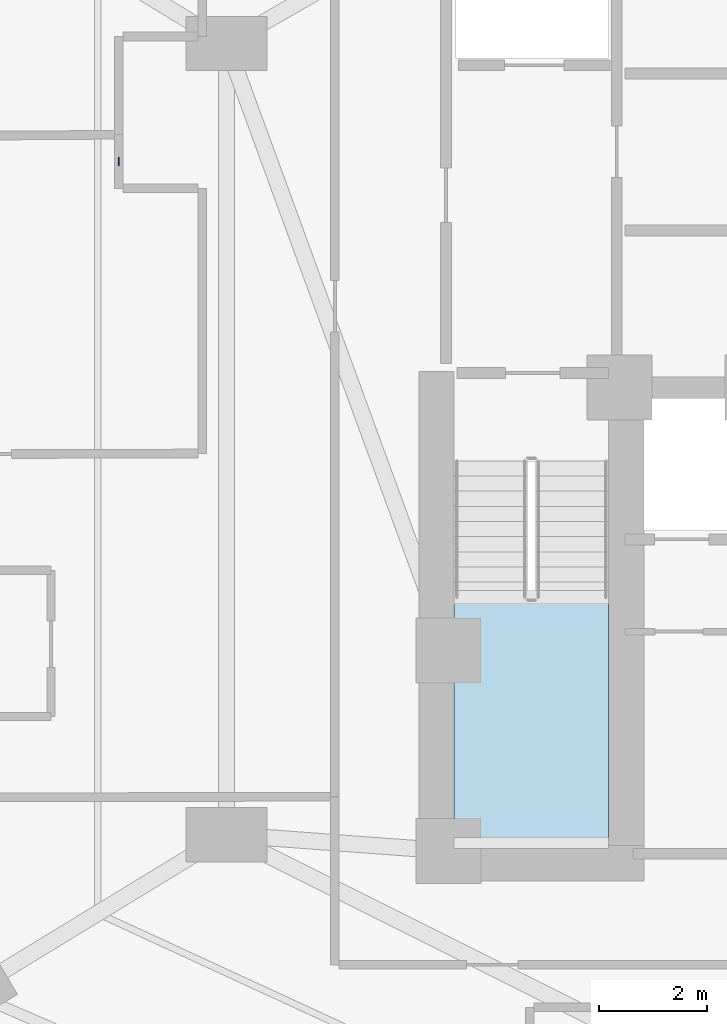
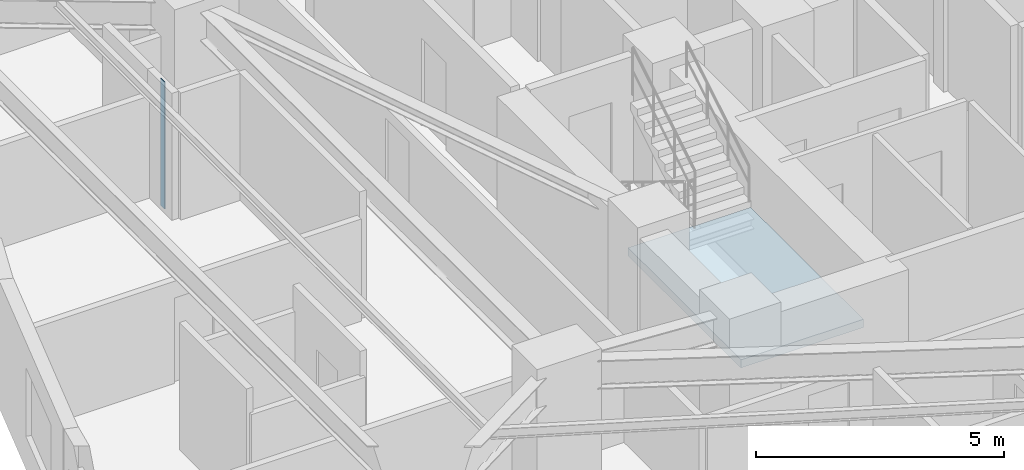
# One storey, part 3 of 13: 1 plate, 1 slab, 1 element without a shape of its own.
"""IFC4 building model written with IfcOpenShell, lengths in metres."""

import ifcopenshell
import ifcopenshell.guid

model = None  # the IFC model being written
_history = None  # IfcOwnerHistory: only IFC2X3 demands one
_inside = {}  # id of a spatial element -> (the spatial element, [elements in it])
_under = {}  # id of a project, library or spatial element -> (it, [spatial elements below it])
_declared = {}  # id of a project -> (the project, [libraries it declares])
_typed = {}  # id of a type object -> (the type object, [elements of that type])
_made_of = {}  # id of a material, layer set ... -> (it, [elements and type objects made of it])


def new_model(schema):
    """Start an empty IFC model of exactly this schema.

    Asked for "IFC4X3", IfcOpenShell would pick the latest addendum, in which some entities
    have other attributes; the version numbers below select the first issue.
    IFC2X3 requires an IfcOwnerHistory on every rooted entity: one is made here for all.
    """
    global model, _history
    if schema == "IFC4X3":
        model = ifcopenshell.file(schema_version=(4, 3, 0, 0))
    else:
        model = ifcopenshell.file(schema=schema)
    _inside.clear()
    _under.clear()
    _declared.clear()
    _typed.clear()
    _made_of.clear()
    _history = None
    if model.schema == "IFC2X3":
        org = make("IfcOrganization", Name="unknown")
        user = make(
            "IfcPersonAndOrganization",
            ThePerson=make("IfcPerson", FamilyName="unknown"),
            TheOrganization=org,
        )
        app = make(
            "IfcApplication",
            ApplicationDeveloper=org,
            Version="unknown",
            ApplicationFullName="unknown",
            ApplicationIdentifier="unknown",
        )
        _history = make(
            "IfcOwnerHistory",
            OwningUser=user,
            OwningApplication=app,
            ChangeAction="ADDED",
            CreationDate=0,
        )
    return model


def make(cls, **values):
    """One entity of the class cls with the attributes given. An attribute that is None is left unset."""
    return model.create_entity(
        cls, **{name: value for name, value in values.items() if value is not None}
    )


def rooted(cls, **values):
    """An entity with a GlobalId (a new one), such as an element, a storey or a relation."""
    return make(cls, GlobalId=ifcopenshell.guid.new(), OwnerHistory=_history, **values)


def si_unit(unit_type, name, prefix=None):
    """IfcSIUnit, for example si_unit("LENGTHUNIT", "METRE", prefix="MILLI")."""
    return make("IfcSIUnit", UnitType=unit_type, Prefix=prefix, Name=name)


def assignment(units):
    """IfcUnitAssignment: the units of a project."""
    return None if units is None else make("IfcUnitAssignment", Units=units)


def point(xyz):
    """IfcCartesianPoint."""
    return None if xyz is None else make("IfcCartesianPoint", Coordinates=xyz)


def direction(xyz):
    """IfcDirection."""
    return None if xyz is None else make("IfcDirection", DirectionRatios=xyz)


def frame(location, z_axis=None, x_axis=None):
    """IfcAxis2Placement3D, a coordinate frame: its origin and axes. An axis left out is left unset."""
    return make(
        "IfcAxis2Placement3D",
        Location=point(location),
        Axis=direction(z_axis),
        RefDirection=direction(x_axis),
    )


def frame_2d(location, x_axis=None):
    """IfcAxis2Placement2D, a coordinate frame in the plane: its origin and x axis."""
    return make(
        "IfcAxis2Placement2D", Location=point(location), RefDirection=direction(x_axis)
    )


def origin():
    """The frame at (0, 0, 0) with its axes left unset."""
    return frame((0.0, 0.0, 0.0))


def origin_2d():
    """The frame at (0, 0) in the plane with its x axis left unset."""
    return frame_2d((0.0, 0.0))


def place(relative_to, where):
    """IfcLocalPlacement: puts the frame where relative to a parent placement (None: the world)."""
    return make(
        "IfcLocalPlacement", PlacementRelTo=relative_to, RelativePlacement=where
    )


def context(
    kind, dimensions, precision=None, world=None, true_north=None, identifier=None
):
    """IfcGeometricRepresentationContext, for example the 3D "Model" context."""
    return make(
        "IfcGeometricRepresentationContext",
        ContextIdentifier=identifier,
        ContextType=kind,
        CoordinateSpaceDimension=dimensions,
        Precision=precision,
        WorldCoordinateSystem=world,
        TrueNorth=true_north,
    )


def subcontext(parent, identifier, kind, view, scale=None):
    """IfcGeometricRepresentationSubContext, for example "Body" below "Model"."""
    return make(
        "IfcGeometricRepresentationSubContext",
        ContextIdentifier=identifier,
        ContextType=kind,
        ParentContext=parent,
        TargetScale=scale,
        TargetView=view,
    )


def project(units=None, contexts=None):
    """IfcProject with its units and contexts."""
    return rooted(
        "IfcProject",
        Name="project",
        RepresentationContexts=contexts,
        UnitsInContext=assignment(units),
    )


def spatial(cls, under=None, at=None, **own):
    """A site, building, storey or space (cls), placed at a placement, below another one or the project."""
    s = rooted(cls, ObjectPlacement=at, **own)
    if under is not None:
        _under.setdefault(under.id(), (under, []))[1].append(s)
    return s


def polyline(points):
    """IfcPolyline through the points."""
    return make("IfcPolyline", Points=[point(p) for p in points])


def profile(cls, at=None, kind="AREA", **sizes):
    """A parametric profile (cls). Its sizes go by their IFC names, for example OverallWidth=200.0."""
    return make(cls, ProfileType=kind, Position=at, **sizes)


def rectangle(**sizes):
    """IfcRectangleProfileDef."""
    return profile("IfcRectangleProfileDef", **sizes)


def outline(outer, holes=None, kind="AREA"):
    """IfcArbitraryClosedProfileDef: a profile drawn as a closed curve; with holes, ...WithVoids."""
    if holes is None:
        return make("IfcArbitraryClosedProfileDef", ProfileType=kind, OuterCurve=outer)
    return make(
        "IfcArbitraryProfileDefWithVoids",
        ProfileType=kind,
        OuterCurve=outer,
        InnerCurves=holes,
    )


def extrude(swept, where, along, depth):
    """IfcExtrudedAreaSolid: the profile swept, set in the frame where, extruded along a direction by depth."""
    return make(
        "IfcExtrudedAreaSolid",
        SweptArea=swept,
        Position=where,
        ExtrudedDirection=direction(along),
        Depth=depth,
    )


def shape(context_of_items, identifier, shape_type, items):
    """IfcShapeRepresentation: the items that make up one representation, for example the "Body"."""
    return make(
        "IfcShapeRepresentation",
        ContextOfItems=context_of_items,
        RepresentationIdentifier=identifier,
        RepresentationType=shape_type,
        Items=items,
    )


def material(Name=None, Category=None):
    """IfcMaterial."""
    return make("IfcMaterial", Name=Name, Category=Category)


def layer(
    of_material, thickness, ventilated=None, Name=None, Category=None, Priority=None
):
    """IfcMaterialLayer: one layer of a wall or slab, of a material (None: an air gap)."""
    return make(
        "IfcMaterialLayer",
        Material=of_material,
        LayerThickness=thickness,
        IsVentilated=ventilated,
        Name=Name,
        Category=Category,
        Priority=Priority,
    )


def layer_set(layers, Name=None):
    """IfcMaterialLayerSet."""
    return make("IfcMaterialLayerSet", MaterialLayers=layers, LayerSetName=Name)


def made_of(thing, what):
    """Note that an element or type object is made of a material, layer set ...; save() writes the relation."""
    if what is not None:
        _made_of.setdefault(what.id(), (what, []))[1].append(thing)
    return thing


def type_object(cls, material=None, **own):
    """A type object (cls), such as IfcWallType, which elements share."""
    return made_of(rooted(cls, **own), material)


def element(
    cls,
    number,
    at=None,
    inside=None,
    cuts=None,
    type_object=None,
    material=None,
    context=None,
    identifier="Body",
    shape_type=None,
    held_by="IfcProductDefinitionShape",
    body=None,
    shapes=None,
    **own,
):
    """One element of the class cls, such as IfcWall. Its Tag is "e" and its number.

    at: its placement. inside: the storey or other place that contains it. cuts: it is an
    opening in that element (IfcRelVoidsElement). A single representation is given by context,
    identifier, shape_type and body (its items); several are given by shapes. held_by: the class
    of the entity that holds the representations. save() writes the other relations.
    """
    e = rooted(cls, Tag="e%d" % number, ObjectPlacement=at, **own)
    if body is not None:
        shapes = [shape(context, identifier, shape_type, body)]
    if shapes is not None:
        e.Representation = make(held_by, Representations=shapes)
    if inside is not None:
        _inside.setdefault(inside.id(), (inside, []))[1].append(e)
    if cuts is not None:
        rooted(
            "IfcRelVoidsElement", RelatingBuildingElement=cuts, RelatedOpeningElement=e
        )
    if type_object is not None:
        _typed.setdefault(type_object.id(), (type_object, []))[1].append(e)
    return made_of(e, material)


def aggregate(whole, parts):
    """IfcRelAggregates: a whole, such as a stair, and the parts it consists of."""
    return rooted("IfcRelAggregates", RelatingObject=whole, RelatedObjects=parts)


def save(model, path):
    """Write the relations noted so far, then the file.

    IfcRelAggregates (storeys below a building ...), IfcRelContainedInSpatialStructure (elements
    in a storey), IfcRelDefinesByType, IfcRelAssociatesMaterial and IfcRelDeclares: one each for
    every whole, place, type object, material and project.
    """
    for whole, parts in _under.values():
        aggregate(whole, parts)
    for where, things in _inside.values():
        rooted(
            "IfcRelContainedInSpatialStructure",
            RelatedElements=things,
            RelatingStructure=where,
        )
    for kind, things in _typed.values():
        rooted("IfcRelDefinesByType", RelatedObjects=things, RelatingType=kind)
    for what, things in _made_of.values():
        rooted("IfcRelAssociatesMaterial", RelatedObjects=things, RelatingMaterial=what)
    for by, libraries in _declared.values():
        rooted("IfcRelDeclares", RelatingContext=by, RelatedDefinitions=libraries)
    model.write(path)


model = new_model("IFC4")

# Units and contexts
model_context = context("Model", 3, precision=1e-05, world=origin(), true_north=direction((0.0, 1.0)))
body_context = subcontext(model_context, "Body", "Model", "MODEL_VIEW")
ifc_project = project(units=[si_unit("LENGTHUNIT", "METRE"), si_unit("AREAUNIT", "SQUARE_METRE"), si_unit("VOLUMEUNIT", "CUBIC_METRE"), si_unit("PLANEANGLEUNIT", "RADIAN"), si_unit("MASSUNIT", "GRAM", prefix="KILO")], contexts=[model_context])

# Site, building, storey
site_placement = place(None, origin())
site = spatial("IfcSite", under=ifc_project, at=site_placement, CompositionType="ELEMENT")
building_placement = place(site_placement, origin())
building = spatial("IfcBuilding", under=site, at=building_placement, Name="Miruveldt Soraemaru", CompositionType="ELEMENT")
storey_placement = place(building_placement, frame((0.0, 0.0, 46.199951171875)))
storey = spatial("IfcBuildingStorey", under=building, at=storey_placement, Name="L12", CompositionType="ELEMENT", Elevation=46.199951171875)

# Plate
ifc_material_1 = material(Name="Anodised aluminium EN AW-6063 T6", Category="aluminium")
ifc_layer_1 = layer(ifc_material_1, 0.02001953125, Name="Anodised aluminium EN AW-6063 T6", Category="aluminium")
ifc_layer_set_1 = layer_set([ifc_layer_1], Name="Anodised aluminium EN AW-6063 T6")
plate_type = type_object("IfcPlateType", Name="PLT-PART-TRIM", PredefinedType="SHEET", material=ifc_layer_set_1)
plate_placement = place(storey_placement, frame((29.408935546875, 48.22412109375, 0.0), z_axis=(0.0, 0.0, 1.0), x_axis=(0.0, -1.0, 0.0)))
element("IfcPlate", 1, at=plate_placement, inside=storey, type_object=plate_type, Name="L12 Partition Step Corner Trim Plate 045", PredefinedType="SHEET", context=body_context, shape_type="SweptSolid", body=[
    extrude(rectangle(XDim=0.159912109375, YDim=0.02001953125, at=origin_2d()), origin(), (0.0, 0.0, 1.0), 3.125),
])

# Stair, slab
ifc_material_2 = material(Name="Concrete C40/50 (40 MPa)", Category="concrete")
stair_type = type_object("IfcStairType", Name="STAIR-DL-340", PredefinedType="HALF_TURN_STAIR", material=ifc_material_2)
stair_placement = place(storey_placement, origin())
stair = element("IfcStair", 2, at=stair_placement, inside=storey, type_object=stair_type, Name="L12 Protected Exit Stair ST-1", PredefinedType="HALF_TURN_STAIR")
ifc_layer_2 = layer(ifc_material_2, 0.199951171875, Name="Concrete C40/50 (40 MPa)", Category="concrete")
ifc_layer_set_2 = layer_set([ifc_layer_2], Name="Concrete C40/50 (40 MPa)")
slab_type = type_object("IfcSlabType", Name="SLAB-LAND-200", PredefinedType="LANDING", material=ifc_layer_set_2)
slab_placement = place(storey_placement, frame((0.0, 0.0, 1.5)))
slab = element("IfcSlab", 3, at=slab_placement, type_object=slab_type, Name="ST-1 landing 1", PredefinedType="LANDING", context=body_context, shape_type="SweptSolid", body=[
    extrude(outline(polyline([(35.60009765625, 40.197998046875), (35.60009765625, 35.64990234375), (38.449951171875, 35.64990234375), (38.449951171875, 40.197998046875), (35.60009765625, 40.197998046875)])), origin(), (0.0, 0.0, 1.0), 0.199951171875),
])
aggregate(stair, [slab])

save(model, "model.ifc")
